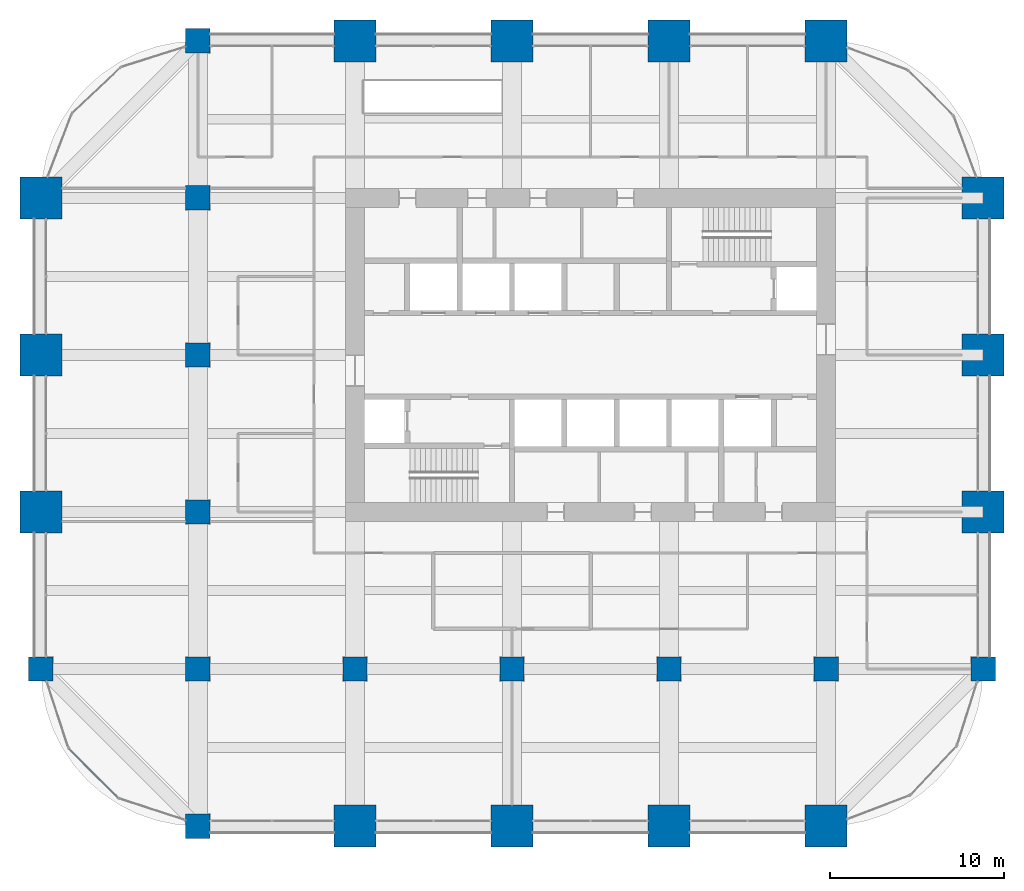
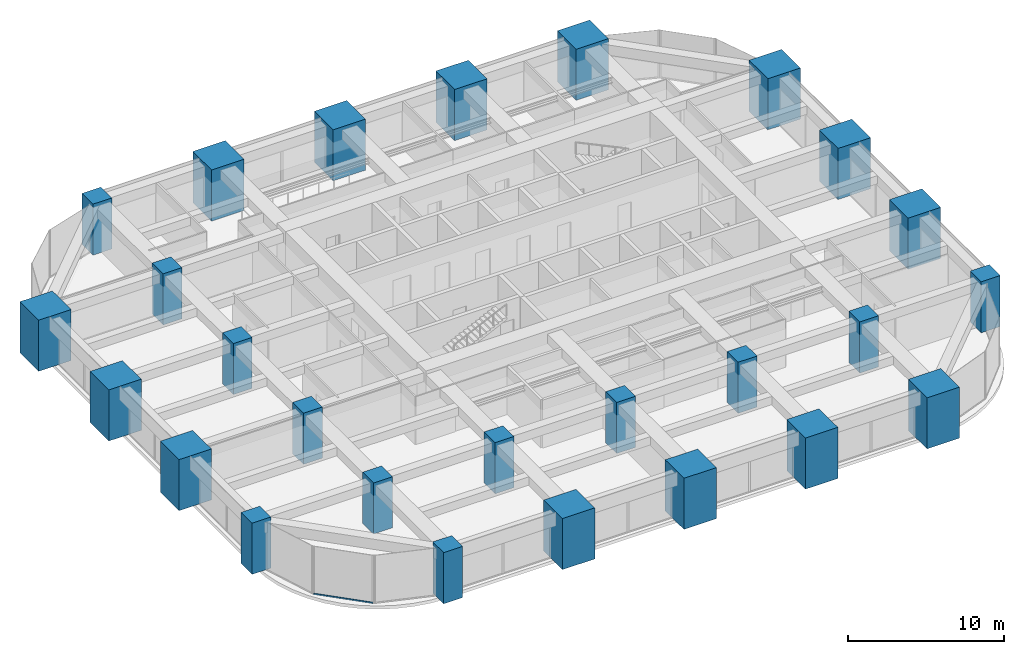
# One storey, part 1 of 32: 26 columns, 1 member, 1 element without a shape of its own.
"""IFC4 building model written with IfcOpenShell, lengths in metres."""

from ifc_helpers import new_model, si_unit, direction, frame, origin, origin_2d, place, context, subcontext, project, spatial, rectangle, hollow_rectangle, extrude, material, material_profile, profile_set, type_object, element, aggregate, save


model = new_model("IFC4")

# Units and contexts
model_context = context("Model", 3, precision=1e-05, world=origin(), true_north=direction((0.0, 1.0)))
body_context = subcontext(model_context, "Body", "Model", "MODEL_VIEW")
ifc_project = project(units=[si_unit("LENGTHUNIT", "METRE"), si_unit("AREAUNIT", "SQUARE_METRE"), si_unit("VOLUMEUNIT", "CUBIC_METRE"), si_unit("PLANEANGLEUNIT", "RADIAN"), si_unit("MASSUNIT", "GRAM", prefix="KILO")], contexts=[model_context])

# Site, building, storey
site_placement = place(None, origin())
site = spatial("IfcSite", under=ifc_project, at=site_placement, CompositionType="ELEMENT")
building_placement = place(site_placement, origin())
building = spatial("IfcBuilding", under=site, at=building_placement, Name="Zorevar Civic Tower", CompositionType="ELEMENT")
storey_placement = place(building_placement, frame((0.0, 0.0, 198.199951171875)))
storey = spatial("IfcBuildingStorey", under=building, at=storey_placement, Name="L48", CompositionType="ELEMENT", Elevation=198.199951171875)

# Columns
ifc_material_1 = material(Name="Concrete C50/60", Category="concrete")
ifc_material_profile_1 = material_profile(ifc_material_1, rectangle(XDim=1.39990234375, YDim=1.39990234375, at=origin_2d()), Name="RC 1400x1400")
ifc_profile_set_1 = profile_set([ifc_material_profile_1], Name="Concrete C50/60")
column_type_1 = type_object("IfcColumnType", Name="Column RC 1400x1400", PredefinedType="COLUMN", material=ifc_profile_set_1)
for number, where, z_axis, x_axis, name in (
    (1, (0.0, 9.0, 0.0), (0.0, 0.0, 1.0), (1.0, 0.0, 0.0), "Column 2B L48"),
    (2, (9.0, 0.0, 0.0), (0.0, 0.0, 1.0), (1.0, 0.0, 0.0), "Column 3A L48"),
    (3, (9.0, 9.0, 0.0), (0.0, 0.0, 1.0), (1.0, 0.0, 0.0), "Column 3B L48"),
    (4, (9.0, 18.0, 0.0), (0.0, 0.0, 1.0), (1.0, 0.0, 0.0), "Column 3C L48"),
    (5, (9.0, 27.0, 0.0), (0.0, 0.0, 1.0), (1.0, 0.0, 0.0), "Column 3D L48"),
    (6, (9.0, 36.0, 0.0), (0.0, 0.0, 1.0), (1.0, 0.0, 0.0), "Column 3E L48"),
    (7, (9.0, 45.0, 0.0), (0.0, 0.0, 1.0), (1.0, 0.0, 0.0), "Column 3F L48"),
    (8, (18.0, 9.0, 0.0), (0.0, 0.0, 1.0), (1.0, 0.0, 0.0), "Column 4B L48"),
    (9, (27.0, 9.0, 0.0), (0.0, 0.0, 1.0), (1.0, 0.0, 0.0), "Column 5B L48"),
    (10, (36.0, 9.0, 0.0), (0.0, 0.0, 1.0), (1.0, 0.0, 0.0), "Column 6B L48"),
    (11, (45.0, 9.0, 0.0), (0.0, 0.0, 1.0), (1.0, 0.0, 0.0), "Column 7B L48"),
    (12, (54.0, 9.0, 0.0), (0.0, 0.0, 1.0), (1.0, 0.0, 0.0), "Column 8B L48"),
):
    element("IfcColumn", number, at=place(storey_placement, frame(where, z_axis=z_axis, x_axis=x_axis)), inside=storey, type_object=column_type_1, Name=name, PredefinedType="COLUMN", context=body_context, shape_type="SweptSolid", body=[
        extrude(rectangle(XDim=1.39990234375, YDim=1.39990234375, at=origin_2d()), origin(), (0.0, 0.0, 1.0), 4.0),
    ])
ifc_material_2 = material(Name="Concrete C50/60", Category="concrete")
ifc_material_profile_2 = material_profile(ifc_material_2, rectangle(XDim=2.39990234375, YDim=2.39990234375, at=origin_2d()), Name="RC 2400x2400")
ifc_profile_set_2 = profile_set([ifc_material_profile_2], Name="Concrete C50/60")
column_type_2 = type_object("IfcColumnType", Name="Mega column RC 2400x2400", PredefinedType="COLUMN", material=ifc_profile_set_2)
for number, where, z_axis, x_axis, name in (
    (13, (0.0, 18.0, 0.0), (0.0, 0.0, 1.0), (1.0, 0.0, 0.0), "Column 2C L48"),
    (14, (0.0, 27.0, 0.0), (0.0, 0.0, 1.0), (1.0, 0.0, 0.0), "Column 2D L48"),
    (15, (0.0, 36.0, 0.0), (0.0, 0.0, 1.0), (1.0, 0.0, 0.0), "Column 2E L48"),
    (16, (18.0, 0.0, 0.0), (0.0, 0.0, 1.0), (1.0, 0.0, 0.0), "Column 4A L48"),
    (17, (18.0, 45.0, 0.0), (0.0, 0.0, 1.0), (1.0, 0.0, 0.0), "Column 4F L48"),
    (18, (27.0, 0.0, 0.0), (0.0, 0.0, 1.0), (1.0, 0.0, 0.0), "Column 5A L48"),
    (19, (27.0, 45.0, 0.0), (0.0, 0.0, 1.0), (1.0, 0.0, 0.0), "Column 5F L48"),
    (20, (36.0, 0.0, 0.0), (0.0, 0.0, 1.0), (1.0, 0.0, 0.0), "Column 6A L48"),
    (21, (36.0, 45.0, 0.0), (0.0, 0.0, 1.0), (1.0, 0.0, 0.0), "Column 6F L48"),
    (22, (45.0, 0.0, 0.0), (0.0, 0.0, 1.0), (1.0, 0.0, 0.0), "Column 7A L48"),
    (23, (45.0, 45.0, 0.0), (0.0, 0.0, 1.0), (1.0, 0.0, 0.0), "Column 7F L48"),
    (24, (54.0, 18.0, 0.0), (0.0, 0.0, 1.0), (1.0, 0.0, 0.0), "Column 8C L48"),
    (25, (54.0, 27.0, 0.0), (0.0, 0.0, 1.0), (1.0, 0.0, 0.0), "Column 8D L48"),
    (26, (54.0, 36.0, 0.0), (0.0, 0.0, 1.0), (1.0, 0.0, 0.0), "Column 8E L48"),
):
    element("IfcColumn", number, at=place(storey_placement, frame(where, z_axis=z_axis, x_axis=x_axis)), inside=storey, type_object=column_type_2, Name=name, PredefinedType="COLUMN", context=body_context, shape_type="SweptSolid", body=[
        extrude(rectangle(XDim=2.39990234375, YDim=2.39990234375, at=origin_2d()), origin(), (0.0, 0.0, 1.0), 4.0),
    ])

# Curtain wall, member
ifc_material_3 = material(Name="Dark grey solar-control glass in black aluminium frame", Category="aluminium")
curtain_wall_type = type_object("IfcCurtainWallType", Name="Curtain wall CW4 high zone", PredefinedType="NOTDEFINED", material=ifc_material_3)
curtain_wall_placement = place(storey_placement, origin())
curtain_wall = element("IfcCurtainWall", 27, at=curtain_wall_placement, inside=storey, type_object=curtain_wall_type, Name="CW4 L48", PredefinedType="NOTDEFINED")
ifc_material_4 = material(Name="Aluminium, black anodised", Category="aluminium")
ifc_material_profile_3 = material_profile(ifc_material_4, hollow_rectangle(XDim=0.06005859375, YDim=0.1201171875, WallThickness=0.0029296875, at=origin_2d()), Name="AL 120x60x3")
ifc_profile_set_3 = profile_set([ifc_material_profile_3], Name="Aluminium, black anodised")
member_type = type_object("IfcMemberType", Name="CW4 transom AL 120x60x3", PredefinedType="USERDEFINED", material=ifc_profile_set_3)
member_placement = place(storey_placement, frame((1.62744140625, 4.406982421875, 0.030029296875), z_axis=(0.707106781187, -0.707106781187, 0.0), x_axis=(0.707106781187, 0.707106781187, 0.0)))
member = element("IfcMember", 28, at=member_placement, type_object=member_type, Name="CW4 sill transom", ObjectType="TRANSOM", PredefinedType="USERDEFINED", context=body_context, shape_type="SweptSolid", body=[
    extrude(hollow_rectangle(XDim=0.06005859375, YDim=0.1201171875, WallThickness=0.0029296875, at=origin_2d()), origin(), (0.0, 0.0, 1.0), 3.930908203125),
])
aggregate(curtain_wall, [member])

save(model, "model.ifc")
